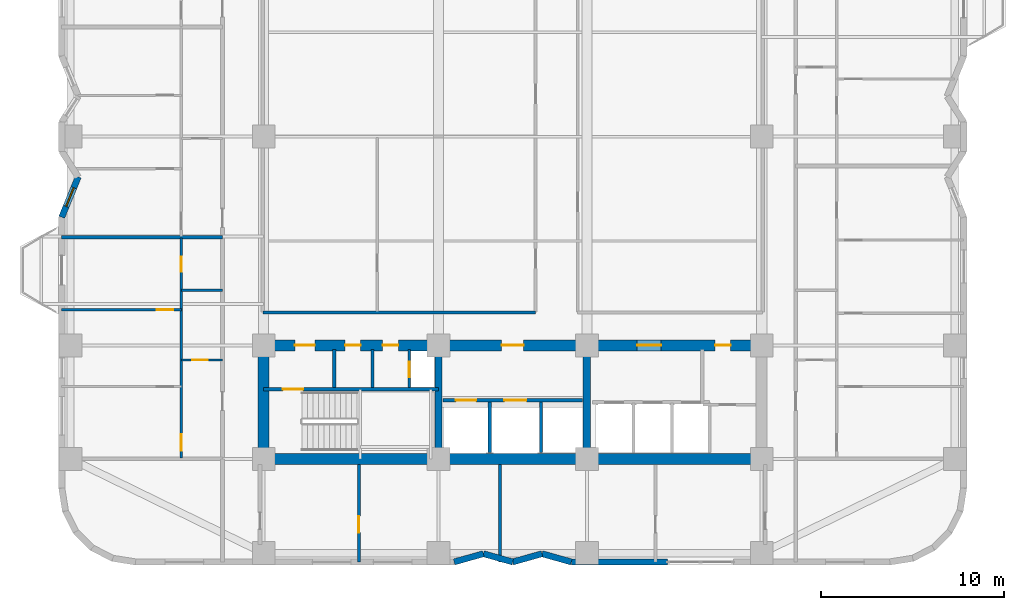
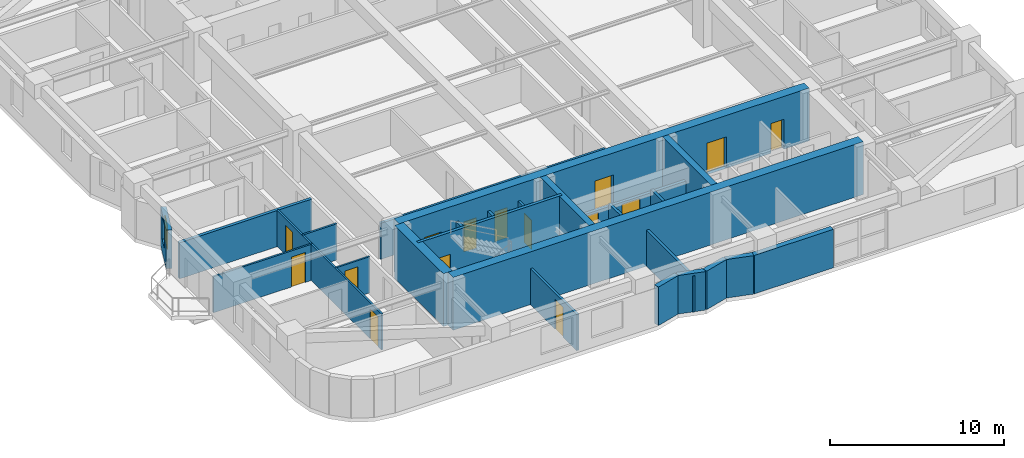
# One storey, part 6 of 13: 26 walls, 15 doors, 1 window, 16 openings.
"""IFC4 building model written with IfcOpenShell, lengths in metres."""

from ifc_helpers import new_model, si_unit, direction, frame, frame_2d, origin, place, context, subcontext, project, spatial, rectangle, extrude, material, layer, layer_set, type_object, element, fill, save


model = new_model("IFC4")

# Units and contexts
model_context = context("Model", 3, precision=1e-05, world=origin(), true_north=direction((0.0, 1.0)))
body_context = subcontext(model_context, "Body", "Model", "MODEL_VIEW")
ifc_project = project(units=[si_unit("LENGTHUNIT", "METRE"), si_unit("AREAUNIT", "SQUARE_METRE"), si_unit("VOLUMEUNIT", "CUBIC_METRE"), si_unit("PLANEANGLEUNIT", "RADIAN"), si_unit("MASSUNIT", "GRAM", prefix="KILO")], contexts=[model_context])

# Site, building, storey
site_placement = place(None, origin())
site = spatial("IfcSite", under=ifc_project, at=site_placement, CompositionType="ELEMENT")
building_placement = place(site_placement, origin())
building = spatial("IfcBuilding", under=site, at=building_placement, Name="Svetorya Sky Lyceum", CompositionType="ELEMENT")
storey_placement = place(building_placement, frame((0.0, 0.0, 39.89990234375)))
storey = spatial("IfcBuildingStorey", under=building, at=storey_placement, Name="L09", CompositionType="ELEMENT", Elevation=39.89990234375)

# Walls
ifc_material_1 = material(Name="Concrete C40/50", Category="concrete")
ifc_layer_1 = layer(ifc_material_1, 0.39990234375)
ifc_layer_set_1 = layer_set([ifc_layer_1], Name="Concrete C40/50")
wall_type_1 = type_object("IfcWallType", Name="WL-CORE-400", PredefinedType="SHEAR", material=ifc_layer_set_1)
for number, where, z_axis, x_axis, name in (
    (1, (35.14990234375, 10.89990234375, 0.0), (0.0, 0.0, 1.0), (0.0, 1.0, 0.0), "L09 SC Internal Shear Web WEB1"),
    (2, (43.25, 10.89990234375, 0.0), (0.0, 0.0, 1.0), (0.0, 1.0, 0.0), "L09 SC Internal Shear Web WEB2"),
):
    element("IfcWall", number, at=place(storey_placement, frame(where, z_axis=z_axis, x_axis=x_axis)), inside=storey, type_object=wall_type_1, Name=name, PredefinedType="SHEAR", context=body_context, shape_type="SweptSolid", body=[
        extrude(rectangle(XDim=5.60009765625, YDim=0.39990234375, at=frame_2d((2.800048828125, 0.0))), origin(), (0.0, 0.0, 1.0), 3.7001953125),
    ])
ifc_material_2 = material(Name="Concrete C60/75", Category="concrete")
ifc_layer_2 = layer(ifc_material_2, 0.60009765625)
ifc_layer_set_2 = layer_set([ifc_layer_2], Name="Concrete C60/75")
wall_type_2 = type_object("IfcWallType", Name="WL-CORE-600", PredefinedType="SHEAR", material=ifc_layer_set_2)
wall_1_placement = place(storey_placement, frame((52.800048828125, 10.60009765625, 0.0), z_axis=(0.0, 0.0, 1.0), x_axis=(-1.0, 0.0, 0.0)))
element("IfcWall", 3, at=wall_1_placement, inside=storey, type_object=wall_type_2, Name="L09 SC Outer Core Shear Wall", PredefinedType="SHEAR", context=body_context, shape_type="SweptSolid", body=[
    extrude(rectangle(XDim=27.199951171875, YDim=0.60009765625, at=frame_2d((13.60009765625, 0.0))), origin(), (0.0, 0.0, 1.0), 3.7001953125),
])
wall_2_placement = place(storey_placement, frame((25.60009765625, 10.89990234375, 0.0), z_axis=(0.0, 0.0, 1.0), x_axis=(0.0, 1.0, 0.0)))
element("IfcWall", 4, at=wall_2_placement, inside=storey, type_object=wall_type_2, Name="L09 SC West Core Shear Wall", PredefinedType="SHEAR", context=body_context, shape_type="SweptSolid", body=[
    extrude(rectangle(XDim=5.60009765625, YDim=0.60009765625, at=frame_2d((2.800048828125, 0.0))), origin(), (0.0, 0.0, 1.0), 3.7001953125),
])

# Wall, openings, doors
wall_3_placement = place(storey_placement, frame((25.60009765625, 16.800048828125, 0.0), z_axis=(0.0, 0.0, 1.0), x_axis=(1.0, 0.0, 0.0)))
wall_3 = element("IfcWall", 5, at=wall_3_placement, inside=storey, type_object=wall_type_2, Name="L09 SC Inner Core Shear Wall", PredefinedType="SHEAR", context=body_context, shape_type="SweptSolid", body=[
    extrude(rectangle(XDim=27.199951171875, YDim=0.60009765625, at=frame_2d((13.60009765625, 0.0))), origin(), (0.0, 0.0, 1.0), 3.7001953125),
])
opening_1_placement = place(wall_3_placement, frame((1.699951171875, 0.0, 0.0)))
opening_1 = element("IfcOpeningElement", 6, at=opening_1_placement, cuts=wall_3, Name="Opening D-ST1", PredefinedType="OPENING", context=body_context, shape_type="SweptSolid", body=[
    extrude(rectangle(XDim=1.10009765625, YDim=2.14990234375, at=frame_2d((0.550048828125, 1.074951171875))), frame((0.0, 0.31005859375, 0.0), z_axis=(0.0, -1.0, 0.0), x_axis=(1.0, 0.0, 0.0)), (0.0, 0.0, 1.0), 0.6201171875),
])
opening_2_placement = place(wall_3_placement, frame((4.449951171875, 0.0, 0.0)))
opening_2 = element("IfcOpeningElement", 7, at=opening_2_placement, cuts=wall_3, Name="Opening D-CWC1", PredefinedType="OPENING", context=body_context, shape_type="SweptSolid", body=[
    extrude(rectangle(XDim=0.85009765625, YDim=2.10009765625, at=frame_2d((0.425048828125, 1.050048828125))), frame((0.0, 0.31005859375, 0.0), z_axis=(0.0, -1.0, 0.0), x_axis=(1.0, 0.0, 0.0)), (0.0, 0.0, 1.0), 0.6201171875),
])
opening_3_placement = place(wall_3_placement, frame((6.5, 0.0, 0.0)))
opening_3 = element("IfcOpeningElement", 8, at=opening_3_placement, cuts=wall_3, Name="Opening D-CWC1", PredefinedType="OPENING", context=body_context, shape_type="SweptSolid", body=[
    extrude(rectangle(XDim=0.85009765625, YDim=2.10009765625, at=frame_2d((0.425048828125, 1.050048828125))), frame((0.0, 0.31005859375, 0.0), z_axis=(0.0, -1.0, 0.0), x_axis=(1.0, 0.0, 0.0)), (0.0, 0.0, 1.0), 0.6201171875),
])
opening_4_placement = place(wall_3_placement, frame((13.0, 0.0, 0.0)))
opening_4 = element("IfcOpeningElement", 9, at=opening_4_placement, cuts=wall_3, Name="Opening D-FL1", PredefinedType="OPENING", context=body_context, shape_type="SweptSolid", body=[
    extrude(rectangle(XDim=1.199951171875, YDim=2.14990234375, at=frame_2d((0.60009765625, 1.074951171875))), frame((0.0, 0.31005859375, 0.0), z_axis=(0.0, -1.0, 0.0), x_axis=(1.0, 0.0, 0.0)), (0.0, 0.0, 1.0), 0.6201171875),
])
opening_5_placement = place(wall_3_placement, frame((20.39990234375, 0.0, 0.0)))
opening_5 = element("IfcOpeningElement", 10, at=opening_5_placement, cuts=wall_3, Name="Opening D-LB1", PredefinedType="OPENING", context=body_context, shape_type="SweptSolid", body=[
    extrude(rectangle(XDim=1.300048828125, YDim=2.199951171875, at=frame_2d((0.64990234375, 1.10009765625))), frame((0.0, 0.31005859375, 0.0), z_axis=(0.0, -1.0, 0.0), x_axis=(1.0, 0.0, 0.0)), (0.0, 0.0, 1.0), 0.6201171875),
])
opening_6_placement = place(wall_3_placement, frame((24.64990234375, 0.0, 0.0)))
opening_6 = element("IfcOpeningElement", 11, at=opening_6_placement, cuts=wall_3, Name="Opening D-CWC1", PredefinedType="OPENING", context=body_context, shape_type="SweptSolid", body=[
    extrude(rectangle(XDim=0.85009765625, YDim=2.10009765625, at=frame_2d((0.425048828125, 1.050048828125))), frame((0.0, 0.31005859375, 0.0), z_axis=(0.0, -1.0, 0.0), x_axis=(1.0, 0.0, 0.0)), (0.0, 0.0, 1.0), 0.6201171875),
])
ifc_material_3 = material(Name="Fire-rated galvanized steel core service closet door", Category="steel")
door_type_1 = type_object("IfcDoorType", Name="DR-CWET-850", OperationType="SINGLE_SWING_LEFT", PredefinedType="DOOR", material=ifc_material_3)
door_1_placement = place(opening_2_placement, origin())
door_1 = element("IfcDoor", 12, at=door_1_placement, inside=storey, type_object=door_type_1, Name="L09 South Mop Closet Door", OperationType="SINGLE_SWING_LEFT", OverallHeight=2.10009765625, OverallWidth=0.85009765625, PredefinedType="DOOR", context=body_context, shape_type="SweptSolid", body=[
    extrude(rectangle(XDim=0.85009765625, YDim=2.10009765625, at=frame_2d((0.425048828125, 1.050048828125))), frame((0.0, 0.02490234375, 0.0), z_axis=(0.0, -1.0, 0.0), x_axis=(1.0, 0.0, 0.0)), (0.0, 0.0, 1.0), 0.050048828125),
])
fill(opening_2, door_1)
door_2_placement = place(opening_3_placement, origin())
door_2 = element("IfcDoor", 13, at=door_2_placement, inside=storey, type_object=door_type_1, Name="L09 South West WC Door", OperationType="SINGLE_SWING_RIGHT", OverallHeight=2.10009765625, OverallWidth=0.85009765625, PredefinedType="DOOR", context=body_context, shape_type="SweptSolid", body=[
    extrude(rectangle(XDim=0.85009765625, YDim=2.10009765625, at=frame_2d((0.425048828125, 1.050048828125))), frame((0.0, 0.02490234375, 0.0), z_axis=(0.0, -1.0, 0.0), x_axis=(1.0, 0.0, 0.0)), (0.0, 0.0, 1.0), 0.050048828125),
])
fill(opening_3, door_2)
door_3_placement = place(opening_6_placement, origin())
door_3 = element("IfcDoor", 14, at=door_3_placement, inside=storey, type_object=door_type_1, Name="L09 South Core Auxiliary Door", OperationType="SINGLE_SWING_LEFT", OverallHeight=2.10009765625, OverallWidth=0.85009765625, PredefinedType="DOOR", context=body_context, shape_type="SweptSolid", body=[
    extrude(rectangle(XDim=0.85009765625, YDim=2.10009765625, at=frame_2d((0.425048828125, 1.050048828125))), frame((0.0, 0.02490234375, 0.0), z_axis=(0.0, -1.0, 0.0), x_axis=(1.0, 0.0, 0.0)), (0.0, 0.0, 1.0), 0.050048828125),
])
fill(opening_6, door_3)
ifc_material_4 = material(Name="Powder-coated insulated galvanized stair fire door")
door_type_2 = type_object("IfcDoorType", Name="DR-FIRE-1100", OperationType="SINGLE_SWING_LEFT", PredefinedType="DOOR", material=ifc_material_4)
door_4_placement = place(opening_1_placement, origin())
door_4 = element("IfcDoor", 15, at=door_4_placement, inside=storey, type_object=door_type_2, Name="L09 South Stair Airlock Door", OperationType="SINGLE_SWING_RIGHT", OverallHeight=2.14990234375, OverallWidth=1.10009765625, PredefinedType="DOOR", context=body_context, shape_type="SweptSolid", body=[
    extrude(rectangle(XDim=1.10009765625, YDim=2.14990234375, at=frame_2d((0.550048828125, 1.074951171875))), frame((0.0, 0.02490234375, 0.0), z_axis=(0.0, -1.0, 0.0), x_axis=(1.0, 0.0, 0.0)), (0.0, 0.0, 1.0), 0.050048828125),
])
fill(opening_1, door_4)
ifc_material_5 = material(Name="Powder-coated insulated galvanized fire door")
door_type_3 = type_object("IfcDoorType", Name="DR-FIRE-1200", OperationType="SINGLE_SWING_LEFT", PredefinedType="DOOR", material=ifc_material_5)
door_5_placement = place(opening_4_placement, origin())
door_5 = element("IfcDoor", 16, at=door_5_placement, inside=storey, type_object=door_type_3, Name="L09 South Firefighting Lift Lobby Door", OperationType="SINGLE_SWING_LEFT", OverallHeight=2.14990234375, OverallWidth=1.199951171875, PredefinedType="DOOR", context=body_context, shape_type="SweptSolid", body=[
    extrude(rectangle(XDim=1.199951171875, YDim=2.14990234375, at=frame_2d((0.60009765625, 1.074951171875))), frame((0.0, 0.02490234375, 0.0), z_axis=(0.0, -1.0, 0.0), x_axis=(1.0, 0.0, 0.0)), (0.0, 0.0, 1.0), 0.050048828125),
])
fill(opening_4, door_5)
ifc_material_6 = material(Name="Glazed fire-rated aluminium lobby door", Category="aluminium")
door_type_4 = type_object("IfcDoorType", Name="DR-LOB-1300", OperationType="SINGLE_SWING_LEFT", PredefinedType="DOOR", material=ifc_material_6)
door_6_placement = place(opening_5_placement, origin())
door_6 = element("IfcDoor", 17, at=door_6_placement, inside=storey, type_object=door_type_4, Name="L09 Low-Rise Lift Lobby Door", OperationType="SINGLE_SWING_RIGHT", OverallHeight=2.199951171875, OverallWidth=1.300048828125, PredefinedType="DOOR", context=body_context, shape_type="SweptSolid", body=[
    extrude(rectangle(XDim=1.300048828125, YDim=2.199951171875, at=frame_2d((0.64990234375, 1.10009765625))), frame((0.0, 0.02490234375, 0.0), z_axis=(0.0, -1.0, 0.0), x_axis=(1.0, 0.0, 0.0)), (0.0, 0.0, 1.0), 0.050048828125),
])
fill(opening_5, door_6)

# Walls
ifc_material_7 = material(Name="Putilovo limestone rainscreen on autoclaved cellular masonry", Category="masonry")
ifc_layer_3 = layer(ifc_material_7, 0.340087890625)
ifc_layer_set_3 = layer_set([ifc_layer_3], Name="Putilovo limestone rainscreen on autoclaved cellular masonry")
wall_type_3 = type_object("IfcWallType", Name="WL-EXT-340", PredefinedType="SOLIDWALL", material=ifc_layer_set_3)
wall_4_placement = place(storey_placement, frame((36.0, 4.969970703125, 0.0), z_axis=(0.0, 0.0, 1.0), x_axis=(0.962662902433, 0.270703040766, 0.0)))
element("IfcWall", 18, at=wall_4_placement, inside=storey, type_object=wall_type_3, Name="L09 Limestone Exterior Wall 7M", PredefinedType="SOLIDWALL", context=body_context, shape_type="SweptSolid", body=[
    extrude(rectangle(XDim=1.662109375, YDim=0.340087890625, at=frame_2d((0.8310546875, 0.0))), origin(), (0.0, 0.0, 1.0), 2.7001953125),
])
wall_5_placement = place(storey_placement, frame((37.60009765625, 5.419921875, 0.0), z_axis=(0.0, 0.0, 1.0), x_axis=(0.962652136636, -0.270741322725, 0.0)))
element("IfcWall", 19, at=wall_5_placement, inside=storey, type_object=wall_type_3, Name="L09 Limestone Exterior Wall 8M", PredefinedType="SOLIDWALL", context=body_context, shape_type="SweptSolid", body=[
    extrude(rectangle(XDim=1.661865234375, YDim=0.340087890625, at=frame_2d((0.8310546875, 0.0))), origin(), (0.0, 0.0, 1.0), 2.7001953125),
])
wall_6_placement = place(storey_placement, frame((39.199951171875, 4.969970703125, 0.0), z_axis=(0.0, 0.0, 1.0), x_axis=(0.962662902433, 0.270703040766, 0.0)))
element("IfcWall", 20, at=wall_6_placement, inside=storey, type_object=wall_type_3, Name="L09 Limestone Exterior Wall 9M", PredefinedType="SOLIDWALL", context=body_context, shape_type="SweptSolid", body=[
    extrude(rectangle(XDim=1.662109375, YDim=0.340087890625, at=frame_2d((0.8310546875, 0.0))), origin(), (0.0, 0.0, 1.0), 2.7001953125),
])
wall_7_placement = place(storey_placement, frame((40.800048828125, 5.419921875, 0.0), z_axis=(0.0, 0.0, 1.0), x_axis=(0.962652136636, -0.270741322725, 0.0)))
element("IfcWall", 21, at=wall_7_placement, inside=storey, type_object=wall_type_3, Name="L09 Limestone Exterior Wall 10M", PredefinedType="SOLIDWALL", context=body_context, shape_type="SweptSolid", body=[
    extrude(rectangle(XDim=1.661865234375, YDim=0.340087890625, at=frame_2d((0.8310546875, 0.0))), origin(), (0.0, 0.0, 1.0), 2.7001953125),
])
wall_8_placement = place(storey_placement, frame((42.39990234375, 4.969970703125, 0.0), z_axis=(0.0, 0.0, 1.0), x_axis=(1.0, 0.0, 0.0)))
element("IfcWall", 22, at=wall_8_placement, inside=storey, type_object=wall_type_3, Name="L09 Limestone Exterior Wall 11A", PredefinedType="SOLIDWALL", context=body_context, shape_type="SweptSolid", body=[
    extrude(rectangle(XDim=5.25, YDim=0.340087890625, at=frame_2d((2.625, 0.0))), origin(), (0.0, 0.0, 1.0), 2.7001953125),
])

# Wall, opening, window
wall_9_placement = place(storey_placement, frame((15.469970703125, 26.0, 0.0), z_axis=(0.0, 0.0, 1.0), x_axis=(-0.378604849088, -0.925558408879, 0.0)))
wall_9 = element("IfcWall", 23, at=wall_9_placement, inside=storey, type_object=wall_type_3, Name="L09 Limestone Exterior Wall 45M", PredefinedType="SOLIDWALL", context=body_context, shape_type="SweptSolid", body=[
    extrude(rectangle(XDim=2.376953125, YDim=0.340087890625, at=frame_2d((1.1884765625, 0.0))), origin(), (0.0, 0.0, 1.0), 2.7001953125),
])
opening_7_placement = place(wall_9_placement, frame((0.638427734375, 0.0, 0.889892578125)))
opening_7 = element("IfcOpeningElement", 24, at=opening_7_placement, cuts=wall_9, Name="Opening W-R3", PredefinedType="OPENING", context=body_context, shape_type="SweptSolid", body=[
    extrude(rectangle(XDim=1.10009765625, YDim=1.64990234375, at=frame_2d((0.550048828125, 0.824951171875))), frame((0.0, 0.179931640625, 0.0), z_axis=(0.0, -1.0, 0.0), x_axis=(1.0, 0.0, 0.0)), (0.0, 0.0, 1.0), 0.360107421875),
])
ifc_material_8 = material(Name="Thermally broken aluminium frame with triple low-E glazing", Category="aluminium")
window_type = type_object("IfcWindowType", Name="WN-RES-110", PartitioningType="SINGLE_PANEL", PredefinedType="WINDOW", material=ifc_material_8)
window_placement = place(opening_7_placement, origin())
window = element("IfcWindow", 25, at=window_placement, inside=storey, type_object=window_type, Name="L09 Facade Window W-R3.45M.1", OverallHeight=1.64990234375, OverallWidth=1.10009765625, PartitioningType="SINGLE_PANEL", PredefinedType="WINDOW", context=body_context, shape_type="SweptSolid", body=[
    extrude(rectangle(XDim=1.10009765625, YDim=1.64990234375, at=frame_2d((0.550048828125, 0.824951171875))), frame((0.0, 0.030029296875, 0.0), z_axis=(0.0, -1.0, 0.0), x_axis=(1.0, 0.0, 0.0)), (0.0, 0.0, 1.0), 0.06005859375),
])
fill(opening_7, window)

# Wall, opening, door
ifc_material_9 = material(Name="Twin-stud galvanized framing with double fireboard", Category="gypsum")
ifc_layer_4 = layer(ifc_material_9, 0.1201171875)
ifc_layer_set_4 = layer_set([ifc_layer_4], Name="Twin-stud galvanized framing with double fireboard")
wall_type_4 = type_object("IfcWallType", Name="WL-PART-120", PredefinedType="PARTITIONING", material=ifc_layer_set_4)
wall_10_placement = place(storey_placement, frame((21.10009765625, 16.0, 0.0), z_axis=(0.0, 0.0, 1.0), x_axis=(1.0, 0.0, 0.0)))
wall_10 = element("IfcWall", 26, at=wall_10_placement, inside=storey, type_object=wall_type_4, Name="L09 Interior Partition W1-WH1", PredefinedType="PARTITIONING", context=body_context, shape_type="SweptSolid", body=[
    extrude(rectangle(XDim=2.25, YDim=0.1201171875, at=frame_2d((1.125, 0.0))), origin(), (0.0, 0.0, 1.0), 2.530029296875),
])
opening_8_placement = place(wall_10_placement, frame((0.60009765625, 0.0, 0.0)))
opening_8 = element("IfcOpeningElement", 27, at=opening_8_placement, cuts=wall_10, Name="Opening D-BT1", PredefinedType="OPENING", context=body_context, shape_type="SweptSolid", body=[
    extrude(rectangle(XDim=0.85009765625, YDim=2.10009765625, at=frame_2d((0.425048828125, 1.050048828125))), frame((0.0, 0.070068359375, 0.0), z_axis=(0.0, -1.0, 0.0), x_axis=(1.0, 0.0, 0.0)), (0.0, 0.0, 1.0), 0.14013671875),
])
ifc_material_10 = material(Name="Moisture-resistant laminate bathroom door")
door_type_5 = type_object("IfcDoorType", Name="DR-WET-850", OperationType="SINGLE_SWING_LEFT", PredefinedType="DOOR", material=ifc_material_10)
door_7_placement = place(opening_8_placement, origin())
door_7 = element("IfcDoor", 28, at=door_7_placement, inside=storey, type_object=door_type_5, Name="Apartment W1 Bathroom Door", OperationType="SINGLE_SWING_LEFT", OverallHeight=2.10009765625, OverallWidth=0.85009765625, PredefinedType="DOOR", context=body_context, shape_type="SweptSolid", body=[
    extrude(rectangle(XDim=0.85009765625, YDim=2.10009765625, at=frame_2d((0.425048828125, 1.050048828125))), frame((0.0, 0.02490234375, 0.0), z_axis=(0.0, -1.0, 0.0), x_axis=(1.0, 0.0, 0.0)), (0.0, 0.0, 1.0), 0.050048828125),
])
fill(opening_8, door_7)

wall_11_placement = place(storey_placement, frame((14.570068359375, 18.75, 0.0), z_axis=(0.0, 0.0, 1.0), x_axis=(1.0, 0.0, 0.0)))
wall_11 = element("IfcWall", 29, at=wall_11_placement, inside=storey, type_object=wall_type_4, Name="L09 Interior Partition W1-WL2", PredefinedType="PARTITIONING", context=body_context, shape_type="SweptSolid", body=[
    extrude(rectangle(XDim=6.530029296875, YDim=0.1201171875, at=frame_2d((3.26513671875, 0.0))), origin(), (0.0, 0.0, 1.0), 2.530029296875),
])
opening_9_placement = place(wall_11_placement, frame((5.179931640625, 0.0, 0.0)))
opening_9 = element("IfcOpeningElement", 30, at=opening_9_placement, cuts=wall_11, Name="Opening D-RM1", PredefinedType="OPENING", context=body_context, shape_type="SweptSolid", body=[
    extrude(rectangle(XDim=0.89990234375, YDim=2.10009765625, at=frame_2d((0.449951171875, 1.050048828125))), frame((0.0, 0.070068359375, 0.0), z_axis=(0.0, -1.0, 0.0), x_axis=(1.0, 0.0, 0.0)), (0.0, 0.0, 1.0), 0.14013671875),
])
ifc_material_11 = material(Name="Lacquered birch veneer internal door")
door_type_6 = type_object("IfcDoorType", Name="DR-INT-900", OperationType="SINGLE_SWING_LEFT", PredefinedType="DOOR", material=ifc_material_11)
door_8_placement = place(opening_9_placement, origin())
door_8 = element("IfcDoor", 31, at=door_8_placement, inside=storey, type_object=door_type_6, Name="Apartment W1 Bedroom 2 Door", OperationType="SINGLE_SWING_RIGHT", OverallHeight=2.10009765625, OverallWidth=0.89990234375, PredefinedType="DOOR", context=body_context, shape_type="SweptSolid", body=[
    extrude(rectangle(XDim=0.89990234375, YDim=2.10009765625, at=frame_2d((0.449951171875, 1.050048828125))), frame((0.0, 0.02490234375, 0.0), z_axis=(0.0, -1.0, 0.0), x_axis=(1.0, 0.0, 0.0)), (0.0, 0.0, 1.0), 0.050048828125),
])
fill(opening_9, door_8)

# Wall, openings, doors
wall_12_placement = place(storey_placement, frame((21.10009765625, 10.639892578125, 0.0), z_axis=(0.0, 0.0, 1.0), x_axis=(0.0, 1.0, 0.0)))
wall_12 = element("IfcWall", 32, at=wall_12_placement, inside=storey, type_object=wall_type_4, Name="L09 Interior Partition W1-WV", PredefinedType="PARTITIONING", context=body_context, shape_type="SweptSolid", body=[
    extrude(rectangle(XDim=12.02001953125, YDim=0.1201171875, at=frame_2d((6.010009765625, 0.0))), origin(), (0.0, 0.0, 1.0), 2.530029296875),
])
opening_10_placement = place(wall_12_placement, frame((0.409912109375, 0.0, 0.0)))
opening_10 = element("IfcOpeningElement", 33, at=opening_10_placement, cuts=wall_12, Name="Opening D-RM1", PredefinedType="OPENING", context=body_context, shape_type="SweptSolid", body=[
    extrude(rectangle(XDim=0.89990234375, YDim=2.10009765625, at=frame_2d((0.449951171875, 1.050048828125))), frame((0.0, 0.070068359375, 0.0), z_axis=(0.0, -1.0, 0.0), x_axis=(1.0, 0.0, 0.0)), (0.0, 0.0, 1.0), 0.14013671875),
])
opening_11_placement = place(wall_12_placement, frame((10.18505859375, 0.0, 0.0)))
opening_11 = element("IfcOpeningElement", 34, at=opening_11_placement, cuts=wall_12, Name="Opening D-BT2", PredefinedType="OPENING", context=body_context, shape_type="SweptSolid", body=[
    extrude(rectangle(XDim=0.820068359375, YDim=2.080078125, at=frame_2d((0.41015625, 1.0400390625))), frame((0.0, 0.070068359375, 0.0), z_axis=(0.0, -1.0, 0.0), x_axis=(1.0, 0.0, 0.0)), (0.0, 0.0, 1.0), 0.14013671875),
])
door_9_placement = place(opening_10_placement, origin())
door_9 = element("IfcDoor", 35, at=door_9_placement, inside=storey, type_object=door_type_6, Name="Apartment W1 Living Door", OperationType="SINGLE_SWING_RIGHT", OverallHeight=2.10009765625, OverallWidth=0.89990234375, PredefinedType="DOOR", context=body_context, shape_type="SweptSolid", body=[
    extrude(rectangle(XDim=0.89990234375, YDim=2.10009765625, at=frame_2d((0.449951171875, 1.050048828125))), frame((0.0, 0.02490234375, 0.0), z_axis=(0.0, -1.0, 0.0), x_axis=(1.0, 0.0, 0.0)), (0.0, 0.0, 1.0), 0.050048828125),
])
fill(opening_10, door_9)
ifc_material_12 = material(Name="Compact moisture-resistant laminate closet door")
door_type_7 = type_object("IfcDoorType", Name="DR-WET-820", OperationType="SINGLE_SWING_LEFT", PredefinedType="DOOR", material=ifc_material_12)
door_10_placement = place(opening_11_placement, origin())
door_10 = element("IfcDoor", 36, at=door_10_placement, inside=storey, type_object=door_type_7, Name="Apartment W1 Study Door", OperationType="SINGLE_SWING_LEFT", OverallHeight=2.080078125, OverallWidth=0.820068359375, PredefinedType="DOOR", context=body_context, shape_type="SweptSolid", body=[
    extrude(rectangle(XDim=0.820068359375, YDim=2.080078125, at=frame_2d((0.41015625, 1.0400390625))), frame((0.0, 0.02490234375, 0.0), z_axis=(0.0, -1.0, 0.0), x_axis=(1.0, 0.0, 0.0)), (0.0, 0.0, 1.0), 0.050048828125),
])
fill(opening_11, door_10)

# Wall
ifc_material_13 = material(Name="Twin-stud galvanized framing with acoustic board", Category="gypsum")
ifc_layer_5 = layer(ifc_material_13, 0.135009765625)
ifc_layer_set_5 = layer_set([ifc_layer_5], Name="Twin-stud galvanized framing with acoustic board")
wall_type_5 = type_object("IfcWallType", Name="WL-PART-135", PredefinedType="PARTITIONING", material=ifc_layer_set_5)
wall_13_placement = place(storey_placement, frame((21.10009765625, 19.800048828125, 0.0), z_axis=(0.0, 0.0, 1.0), x_axis=(1.0, 0.0, 0.0)))
element("IfcWall", 37, at=wall_13_placement, inside=storey, type_object=wall_type_5, Name="L09 Interior Partition W1-WH2", PredefinedType="PARTITIONING", context=body_context, shape_type="SweptSolid", body=[
    extrude(rectangle(XDim=2.25, YDim=0.135009765625, at=frame_2d((1.125, 0.0))), origin(), (0.0, 0.0, 1.0), 2.530029296875),
])

# Wall, opening, door
ifc_material_14 = material(Name="Autoclaved cellular masonry blockwork with acoustic render", Category="masonry")
ifc_layer_6 = layer(ifc_material_14, 0.14990234375)
ifc_layer_set_6 = layer_set([ifc_layer_6], Name="Autoclaved cellular masonry blockwork with acoustic render")
wall_type_6 = type_object("IfcWallType", Name="WL-PART-150", PredefinedType="PARTITIONING", material=ifc_layer_set_6)
wall_14_placement = place(storey_placement, frame((33.550048828125, 14.5, 0.0), z_axis=(0.0, 0.0, 1.0), x_axis=(0.0, 1.0, 0.0)))
wall_14 = element("IfcWall", 38, at=wall_14_placement, inside=storey, type_object=wall_type_6, Name="L09 Interior Partition SC-SWD3", PredefinedType="PARTITIONING", context=body_context, shape_type="SweptSolid", body=[
    extrude(rectangle(XDim=2.080078125, YDim=0.14990234375, at=frame_2d((1.0400390625, 0.0))), origin(), (0.0, 0.0, 1.0), 2.530029296875),
])
opening_12_placement = place(wall_14_placement, frame((0.550048828125, 0.0, 0.0)))
opening_12 = element("IfcOpeningElement", 39, at=opening_12_placement, cuts=wall_14, Name="Opening D-SH1", PredefinedType="OPENING", context=body_context, shape_type="SweptSolid", body=[
    extrude(rectangle(XDim=0.85009765625, YDim=2.050048828125, at=frame_2d((0.425048828125, 1.02490234375))), frame((0.0, 0.0849609375, 0.0), z_axis=(0.0, -1.0, 0.0), x_axis=(1.0, 0.0, 0.0)), (0.0, 0.0, 1.0), 0.169921875),
])
ifc_material_15 = material(Name="Insulated galvanized riser inspection fire door")
door_type_8 = type_object("IfcDoorType", Name="DR-SHFT-850", OperationType="SINGLE_SWING_LEFT", PredefinedType="TRAPDOOR", material=ifc_material_15)
door_11_placement = place(opening_12_placement, origin())
door_11 = element("IfcDoor", 40, at=door_11_placement, inside=storey, type_object=door_type_8, Name="L09 South Riser Access Door", OperationType="SINGLE_SWING_RIGHT", OverallHeight=2.050048828125, OverallWidth=0.85009765625, PredefinedType="TRAPDOOR", context=body_context, shape_type="SweptSolid", body=[
    extrude(rectangle(XDim=0.85009765625, YDim=2.050048828125, at=frame_2d((0.425048828125, 1.02490234375))), frame((0.0, 0.02490234375, 0.0), z_axis=(0.0, -1.0, 0.0), x_axis=(1.0, 0.0, 0.0)), (0.0, 0.0, 1.0), 0.050048828125),
])
fill(opening_12, door_11)

wall_15_placement = place(storey_placement, frame((30.800048828125, 4.969970703125, 0.0), z_axis=(0.0, 0.0, 1.0), x_axis=(0.0, 1.0, 0.0)))
wall_15 = element("IfcWall", 41, at=wall_15_placement, inside=storey, type_object=wall_type_6, Name="L09 Interior Partition S4-D1", PredefinedType="PARTITIONING", context=body_context, shape_type="SweptSolid", body=[
    extrude(rectangle(XDim=5.330078125, YDim=0.14990234375, at=frame_2d((2.6650390625, 0.0))), origin(), (0.0, 0.0, 1.0), 2.530029296875),
])
opening_13_placement = place(wall_15_placement, frame((1.60009765625, 0.0, 0.0)))
opening_13 = element("IfcOpeningElement", 42, at=opening_13_placement, cuts=wall_15, Name="Opening D-RM1", PredefinedType="OPENING", context=body_context, shape_type="SweptSolid", body=[
    extrude(rectangle(XDim=0.89990234375, YDim=2.10009765625, at=frame_2d((0.449951171875, 1.050048828125))), frame((0.0, 0.0849609375, 0.0), z_axis=(0.0, -1.0, 0.0), x_axis=(1.0, 0.0, 0.0)), (0.0, 0.0, 1.0), 0.169921875),
])
door_12_placement = place(opening_13_placement, origin())
door_12 = element("IfcDoor", 43, at=door_12_placement, inside=storey, type_object=door_type_6, Name="L09 South Suite Door 1", OperationType="SINGLE_SWING_LEFT", OverallHeight=2.10009765625, OverallWidth=0.89990234375, PredefinedType="DOOR", context=body_context, shape_type="SweptSolid", body=[
    extrude(rectangle(XDim=0.89990234375, YDim=2.10009765625, at=frame_2d((0.449951171875, 1.050048828125))), frame((0.0, 0.02490234375, 0.0), z_axis=(0.0, -1.0, 0.0), x_axis=(1.0, 0.0, 0.0)), (0.0, 0.0, 1.0), 0.050048828125),
])
fill(opening_13, door_12)

# Walls
ifc_material_16 = material(Name="Autoclaved cellular masonry blockwork with fire render", Category="masonry")
ifc_layer_7 = layer(ifc_material_16, 0.175048828125)
ifc_layer_set_7 = layer_set([ifc_layer_7], Name="Autoclaved cellular masonry blockwork with fire render")
wall_type_7 = type_object("IfcWallType", Name="WL-PART-175", PredefinedType="PARTITIONING", material=ifc_layer_set_7)
for number, where, z_axis, x_axis, name in (
    (44, (29.449951171875, 14.5, 0.0), (0.0, 0.0, 1.0), (0.0, 1.0, 0.0), "L09 Interior Partition SC-SWD1"),
    (45, (31.550048828125, 14.5, 0.0), (0.0, 0.0, 1.0), (0.0, 1.0, 0.0), "L09 Interior Partition SC-SWD2"),
):
    element("IfcWall", number, at=place(storey_placement, frame(where, z_axis=z_axis, x_axis=x_axis)), inside=storey, type_object=wall_type_7, Name=name, PredefinedType="PARTITIONING", context=body_context, shape_type="SweptSolid", body=[
        extrude(rectangle(XDim=2.080078125, YDim=0.175048828125, at=frame_2d((1.0400390625, 0.0))), origin(), (0.0, 0.0, 1.0), 2.530029296875),
    ])
for number, where, z_axis, x_axis, name in (
    (46, (37.949951171875, 10.949951171875, 0.0), (0.0, 0.0, 1.0), (0.0, 1.0, 0.0), "L09 Interior Partition SC-SHD1"),
    (47, (40.75, 10.949951171875, 0.0), (0.0, 0.0, 1.0), (0.0, 1.0, 0.0), "L09 Interior Partition SC-SHD2"),
):
    element("IfcWall", number, at=place(storey_placement, frame(where, z_axis=z_axis, x_axis=x_axis)), inside=storey, type_object=wall_type_7, Name=name, PredefinedType="PARTITIONING", context=body_context, shape_type="SweptSolid", body=[
        extrude(rectangle(XDim=2.75, YDim=0.175048828125, at=frame_2d((1.375, 0.0))), origin(), (0.0, 0.0, 1.0), 2.530029296875),
    ])
wall_16_placement = place(storey_placement, frame((25.550048828125, 18.60009765625, 0.0), z_axis=(0.0, 0.0, 1.0), x_axis=(1.0, 0.0, 0.0)))
element("IfcWall", 48, at=wall_16_placement, inside=storey, type_object=wall_type_7, Name="L09 Interior Partition CS-MID-W", PredefinedType="PARTITIONING", context=body_context, shape_type="SweptSolid", body=[
    extrude(rectangle(XDim=14.89990234375, YDim=0.175048828125, at=frame_2d((7.449951171875, 0.0))), origin(), (0.0, 0.0, 1.0), 2.530029296875),
])
wall_17_placement = place(storey_placement, frame((38.5, 4.969970703125, 0.0), z_axis=(0.0, 0.0, 1.0), x_axis=(0.0, 1.0, 0.0)))
element("IfcWall", 49, at=wall_17_placement, inside=storey, type_object=wall_type_7, Name="L09 Interior Partition S4-D2", PredefinedType="PARTITIONING", context=body_context, shape_type="SweptSolid", body=[
    extrude(rectangle(XDim=5.330078125, YDim=0.175048828125, at=frame_2d((2.6650390625, 0.0))), origin(), (0.0, 0.0, 1.0), 2.530029296875),
])

# Wall, openings, doors
ifc_material_17 = material(Name="Autoclaved cellular masonry blockwork with gypsum plaster", Category="masonry")
ifc_layer_8 = layer(ifc_material_17, 0.199951171875)
ifc_layer_set_8 = layer_set([ifc_layer_8], Name="Autoclaved cellular masonry blockwork with gypsum plaster")
wall_type_8 = type_object("IfcWallType", Name="WL-PART-200", PredefinedType="PARTITIONING", material=ifc_layer_set_8)
wall_18_placement = place(storey_placement, frame((35.39990234375, 13.800048828125, 0.0), z_axis=(0.0, 0.0, 1.0), x_axis=(1.0, 0.0, 0.0)))
wall_18 = element("IfcWall", 50, at=wall_18_placement, inside=storey, type_object=wall_type_8, Name="L09 Interior Partition SC-FLW", PredefinedType="PARTITIONING", context=body_context, shape_type="SweptSolid", body=[
    extrude(rectangle(XDim=7.60009765625, YDim=0.199951171875, at=frame_2d((3.800048828125, 0.0))), origin(), (0.0, 0.0, 1.0), 2.300048828125),
])
opening_14_placement = place(wall_18_placement, frame((0.699951171875, 0.0, 0.0)))
opening_14 = element("IfcOpeningElement", 51, at=opening_14_placement, cuts=wall_18, Name="Opening LD-FL", PredefinedType="OPENING", context=body_context, shape_type="SweptSolid", body=[
    extrude(rectangle(XDim=1.10009765625, YDim=2.14990234375, at=frame_2d((0.550048828125, 1.074951171875))), frame((0.0, 0.10986328125, 0.0), z_axis=(0.0, -1.0, 0.0), x_axis=(1.0, 0.0, 0.0)), (0.0, 0.0, 1.0), 0.219970703125),
])
opening_15_placement = place(wall_18_placement, frame((3.35009765625, 0.0, 0.0)))
opening_15 = element("IfcOpeningElement", 52, at=opening_15_placement, cuts=wall_18, Name="Opening LD-SV", PredefinedType="OPENING", context=body_context, shape_type="SweptSolid", body=[
    extrude(rectangle(XDim=1.199951171875, YDim=2.14990234375, at=frame_2d((0.60009765625, 1.074951171875))), frame((0.0, 0.10986328125, 0.0), z_axis=(0.0, -1.0, 0.0), x_axis=(1.0, 0.0, 0.0)), (0.0, 0.0, 1.0), 0.219970703125),
])
ifc_material_18 = material(Name="Fire-rated stainless AISI 304 firefighting lift landing door")
door_type_9 = type_object("IfcDoorType", Name="DR-LIFT-1100", OperationType="SLIDING_TO_LEFT", PredefinedType="DOOR", material=ifc_material_18)
door_13_placement = place(opening_14_placement, origin())
door_13 = element("IfcDoor", 53, at=door_13_placement, inside=storey, type_object=door_type_9, Name="L09 Firefighting Lift FL2 Landing Door", OperationType="SLIDING_TO_LEFT", OverallHeight=2.14990234375, OverallWidth=1.10009765625, PredefinedType="DOOR", context=body_context, shape_type="SweptSolid", body=[
    extrude(rectangle(XDim=1.10009765625, YDim=2.14990234375, at=frame_2d((0.550048828125, 1.074951171875))), frame((0.0, 0.02490234375, 0.0), z_axis=(0.0, -1.0, 0.0), x_axis=(1.0, 0.0, 0.0)), (0.0, 0.0, 1.0), 0.050048828125),
])
fill(opening_14, door_13)
ifc_material_19 = material(Name="Brushed stainless AISI 304 telescopic lift landing door")
door_type_10 = type_object("IfcDoorType", Name="DR-LIFT-1200", OperationType="SLIDING_TO_LEFT", PredefinedType="DOOR", material=ifc_material_19)
door_14_placement = place(opening_15_placement, origin())
door_14 = element("IfcDoor", 54, at=door_14_placement, inside=storey, type_object=door_type_10, Name="L09 Service Lift SVL1 Landing Door", OperationType="SLIDING_TO_LEFT", OverallHeight=2.14990234375, OverallWidth=1.199951171875, PredefinedType="DOOR", context=body_context, shape_type="SweptSolid", body=[
    extrude(rectangle(XDim=1.199951171875, YDim=2.14990234375, at=frame_2d((0.60009765625, 1.074951171875))), frame((0.0, 0.02490234375, 0.0), z_axis=(0.0, -1.0, 0.0), x_axis=(1.0, 0.0, 0.0)), (0.0, 0.0, 1.0), 0.050048828125),
])
fill(opening_15, door_14)

# Wall
wall_19_placement = place(storey_placement, frame((14.570068359375, 22.699951171875, 0.0), z_axis=(0.0, 0.0, 1.0), x_axis=(1.0, 0.0, 0.0)))
element("IfcWall", 55, at=wall_19_placement, inside=storey, type_object=wall_type_8, Name="L09 Interior Partition W-PARTY-1", PredefinedType="PARTITIONING", context=body_context, shape_type="SweptSolid", body=[
    extrude(rectangle(XDim=8.780029296875, YDim=0.199951171875, at=frame_2d((4.39013671875, 0.0))), origin(), (0.0, 0.0, 1.0), 2.530029296875),
])

# Wall, opening, door
ifc_material_20 = material(Name="Concrete C50/60", Category="concrete")
ifc_layer_9 = layer(ifc_material_20, 0.199951171875)
ifc_layer_set_9 = layer_set([ifc_layer_9], Name="Concrete C50/60")
wall_type_9 = type_object("IfcWallType", Name="WL-SHW-200", PredefinedType="SHEAR", material=ifc_layer_set_9)
wall_20_placement = place(storey_placement, frame((25.60009765625, 14.39990234375, 0.0), z_axis=(0.0, 0.0, 1.0), x_axis=(1.0, 0.0, 0.0)))
wall_20 = element("IfcWall", 56, at=wall_20_placement, inside=storey, type_object=wall_type_9, Name="L09 Structural Stair Shaft Wall SC-STW", PredefinedType="SHEAR", context=body_context, shape_type="SweptSolid", body=[
    extrude(rectangle(XDim=9.5498046875, YDim=0.199951171875, at=frame_2d((4.77490234375, 0.0))), origin(), (0.0, 0.0, 1.0), 3.7001953125),
])
opening_16_placement = place(wall_20_placement, frame((1.050048828125, 0.0, 0.0)))
opening_16 = element("IfcOpeningElement", 57, at=opening_16_placement, cuts=wall_20, Name="Opening D-ST1", PredefinedType="OPENING", context=body_context, shape_type="SweptSolid", body=[
    extrude(rectangle(XDim=1.10009765625, YDim=2.14990234375, at=frame_2d((0.550048828125, 1.074951171875))), frame((0.0, 0.10986328125, 0.0), z_axis=(0.0, -1.0, 0.0), x_axis=(1.0, 0.0, 0.0)), (0.0, 0.0, 1.0), 0.219970703125),
])
door_15_placement = place(opening_16_placement, origin())
door_15 = element("IfcDoor", 58, at=door_15_placement, inside=storey, type_object=door_type_2, Name="L09 Stair ST-S Vestibule Fire Door", OperationType="SINGLE_SWING_LEFT", OverallHeight=2.14990234375, OverallWidth=1.10009765625, PredefinedType="DOOR", context=body_context, shape_type="SweptSolid", body=[
    extrude(rectangle(XDim=1.10009765625, YDim=2.14990234375, at=frame_2d((0.550048828125, 1.074951171875))), frame((0.0, 0.02490234375, 0.0), z_axis=(0.0, -1.0, 0.0), x_axis=(1.0, 0.0, 0.0)), (0.0, 0.0, 1.0), 0.050048828125),
])
fill(opening_16, door_15)

save(model, "model.ifc")
